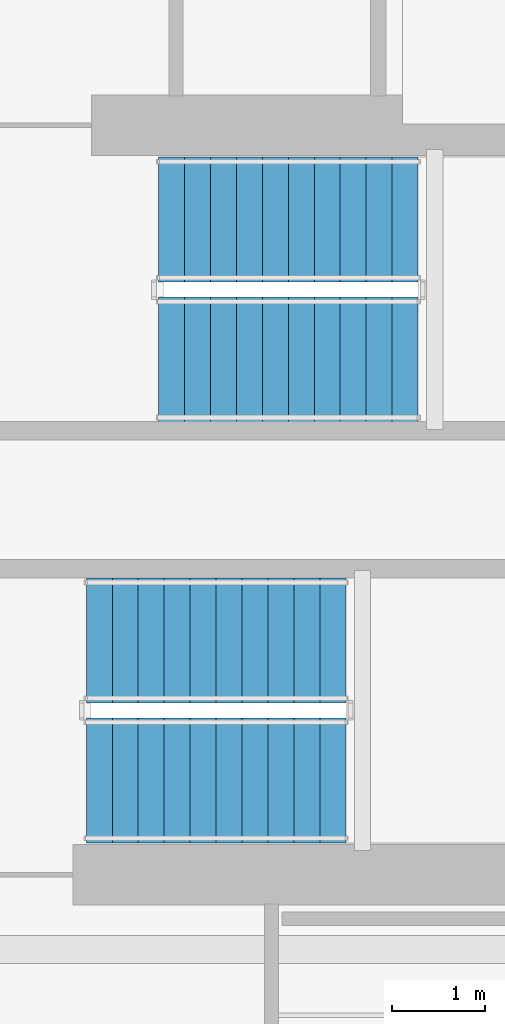
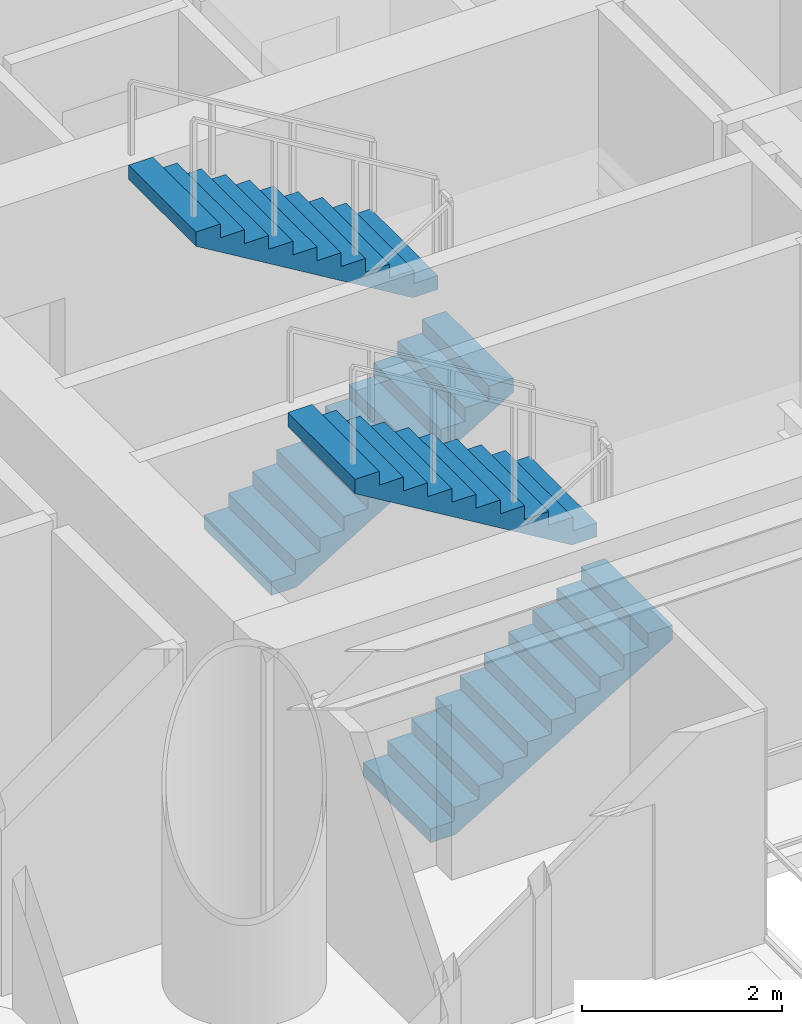
# One storey, part 20 of 24: 4 stair flights, 2 elements without a shape of their own.
"""IFC4 building model written with IfcOpenShell, lengths in metres."""

from ifc_helpers import new_model, si_unit, direction, frame, origin, place, context, subcontext, project, spatial, polyline, outline, extrude, material, type_object, element, aggregate, save


model = new_model("IFC4")

# Units and contexts
model_context = context("Model", 3, precision=1e-05, world=origin(), true_north=direction((0.0, 1.0)))
body_context = subcontext(model_context, "Body", "Model", "MODEL_VIEW")
ifc_project = project(units=[si_unit("LENGTHUNIT", "METRE"), si_unit("AREAUNIT", "SQUARE_METRE"), si_unit("VOLUMEUNIT", "CUBIC_METRE"), si_unit("PLANEANGLEUNIT", "RADIAN"), si_unit("MASSUNIT", "GRAM", prefix="KILO")], contexts=[model_context])

# Site, building, storey
site_placement = place(None, origin())
site = spatial("IfcSite", under=ifc_project, at=site_placement, CompositionType="ELEMENT")
building_placement = place(site_placement, origin())
building = spatial("IfcBuilding", under=site, at=building_placement, Name="Qianvela Tower", CompositionType="ELEMENT")
storey_placement = place(building_placement, frame((0.0, 0.0, 71.0)))
storey = spatial("IfcBuildingStorey", under=building, at=storey_placement, Name="L17", CompositionType="ELEMENT", Elevation=71.0)

# Stair, stair flights
ifc_material_1 = material(Name="Concrete C40", Category="concrete")
stair_type = type_object("IfcStairType", Name="ST-DOGLEG-1350-R168-N22", PredefinedType="HALF_TURN_STAIR", material=ifc_material_1)
stair_1_placement = place(storey_placement, origin())
stair_1 = element("IfcStair", 1, at=stair_1_placement, inside=storey, type_object=stair_type, Name="L17 Smoke-Proof Core Stair ST-1", PredefinedType="HALF_TURN_STAIR")
ifc_material_2 = material(Name="Concrete C40", Category="concrete")
stair_flight_type = type_object("IfcStairFlightType", Name="STF-STRAIGHT-R168-P11", PredefinedType="STRAIGHT", material=ifc_material_2)
stair_flight_1_placement = place(storey_placement, frame((32.199951171875, 30.215087890625, 0.0), z_axis=(0.0, 0.0, 1.0), x_axis=(1.0, 0.0, 0.0)))
stair_flight_1 = element("IfcStairFlight", 2, at=stair_flight_1_placement, type_object=stair_flight_type, Name="ST-1 flight 1", NumberOfRisers=11, NumberOfTreads=10, PredefinedType="STRAIGHT", RiserHeight=0.168181818, TreadLength=0.28, context=body_context, shape_type="SweptSolid", body=[
    extrude(outline(polyline([(0.0, 0.0), (0.0, 0.168212890625), (0.280029296875, 0.168212890625), (0.280029296875, 0.33642578125), (0.56005859375, 0.33642578125), (0.56005859375, 0.504638671875), (0.840087890625, 0.504638671875), (0.840087890625, 0.672607421875), (1.1201171875, 0.672607421875), (1.1201171875, 0.8408203125), (1.39990234375, 0.8408203125), (1.39990234375, 1.009033203125), (1.679931640625, 1.009033203125), (1.679931640625, 1.17724609375), (1.9599609375, 1.17724609375), (1.9599609375, 1.345458984375), (2.239990234375, 1.345458984375), (2.239990234375, 1.513671875), (2.52001953125, 1.513671875), (2.52001953125, 1.681884765625), (2.800048828125, 1.681884765625), (2.800048828125, 1.85009765625), (2.800048828125, 1.5068359375), (0.291015625, 0.0), (0.0, 0.0)])), frame((0.0, 0.675048828125, 0.0), z_axis=(0.0, -1.0, 0.0), x_axis=(1.0, 0.0, 0.0)), (0.0, 0.0, 1.0), 1.35009765625),
])
stair_flight_2_placement = place(storey_placement, frame((35.0, 31.72509765625, 1.85009765625), z_axis=(0.0, 0.0, 1.0), x_axis=(-1.0, 0.0, 0.0)))
stair_flight_2 = element("IfcStairFlight", 3, at=stair_flight_2_placement, type_object=stair_flight_type, Name="ST-1 flight 2", NumberOfRisers=11, NumberOfTreads=10, PredefinedType="STRAIGHT", RiserHeight=0.168181818, TreadLength=0.28, context=body_context, shape_type="SweptSolid", body=[
    extrude(outline(polyline([(0.0, 0.0), (0.0, 0.168212890625), (0.280029296875, 0.168212890625), (0.280029296875, 0.33642578125), (0.56005859375, 0.33642578125), (0.56005859375, 0.504638671875), (0.840087890625, 0.504638671875), (0.840087890625, 0.672607421875), (1.1201171875, 0.672607421875), (1.1201171875, 0.8408203125), (1.39990234375, 0.8408203125), (1.39990234375, 1.009033203125), (1.679931640625, 1.009033203125), (1.679931640625, 1.17724609375), (1.9599609375, 1.17724609375), (1.9599609375, 1.345458984375), (2.239990234375, 1.345458984375), (2.239990234375, 1.513671875), (2.52001953125, 1.513671875), (2.52001953125, 1.681884765625), (2.800048828125, 1.681884765625), (2.800048828125, 1.85009765625), (2.800048828125, 1.5068359375), (0.291015625, 0.0), (0.0, 0.0)])), frame((0.0, 0.675048828125, 0.0), z_axis=(0.0, -1.0, 0.0), x_axis=(1.0, 0.0, 0.0)), (0.0, 0.0, 1.0), 1.35009765625),
])
aggregate(stair_1, [stair_flight_1, stair_flight_2])

stair_2_placement = place(storey_placement, origin())
stair_2 = element("IfcStair", 4, at=stair_2_placement, inside=storey, type_object=stair_type, Name="L17 Smoke-Proof Core Stair ST-2", PredefinedType="HALF_TURN_STAIR")
stair_flight_3_placement = place(storey_placement, frame((31.419921875, 25.675048828125, 0.0), z_axis=(0.0, 0.0, 1.0), x_axis=(1.0, 0.0, 0.0)))
stair_flight_3 = element("IfcStairFlight", 5, at=stair_flight_3_placement, type_object=stair_flight_type, Name="ST-2 flight 1", NumberOfRisers=11, NumberOfTreads=10, PredefinedType="STRAIGHT", RiserHeight=0.168181818, TreadLength=0.28, context=body_context, shape_type="SweptSolid", body=[
    extrude(outline(polyline([(0.0, 0.0), (0.0, 0.168212890625), (0.280029296875, 0.168212890625), (0.280029296875, 0.33642578125), (0.56005859375, 0.33642578125), (0.56005859375, 0.504638671875), (0.840087890625, 0.504638671875), (0.840087890625, 0.672607421875), (1.1201171875, 0.672607421875), (1.1201171875, 0.8408203125), (1.39990234375, 0.8408203125), (1.39990234375, 1.009033203125), (1.679931640625, 1.009033203125), (1.679931640625, 1.17724609375), (1.9599609375, 1.17724609375), (1.9599609375, 1.345458984375), (2.239990234375, 1.345458984375), (2.239990234375, 1.513671875), (2.52001953125, 1.513671875), (2.52001953125, 1.681884765625), (2.800048828125, 1.681884765625), (2.800048828125, 1.85009765625), (2.800048828125, 1.5068359375), (0.291015625, 0.0), (0.0, 0.0)])), frame((0.0, 0.675048828125, 0.0), z_axis=(0.0, -1.0, 0.0), x_axis=(1.0, 0.0, 0.0)), (0.0, 0.0, 1.0), 1.35009765625),
])
stair_flight_4_placement = place(storey_placement, frame((34.219970703125, 27.18505859375, 1.85009765625), z_axis=(0.0, 0.0, 1.0), x_axis=(-1.0, 0.0, 0.0)))
stair_flight_4 = element("IfcStairFlight", 6, at=stair_flight_4_placement, type_object=stair_flight_type, Name="ST-2 flight 2", NumberOfRisers=11, NumberOfTreads=10, PredefinedType="STRAIGHT", RiserHeight=0.168181818, TreadLength=0.28, context=body_context, shape_type="SweptSolid", body=[
    extrude(outline(polyline([(0.0, 0.0), (0.0, 0.168212890625), (0.280029296875, 0.168212890625), (0.280029296875, 0.33642578125), (0.56005859375, 0.33642578125), (0.56005859375, 0.504638671875), (0.840087890625, 0.504638671875), (0.840087890625, 0.672607421875), (1.1201171875, 0.672607421875), (1.1201171875, 0.8408203125), (1.39990234375, 0.8408203125), (1.39990234375, 1.009033203125), (1.679931640625, 1.009033203125), (1.679931640625, 1.17724609375), (1.9599609375, 1.17724609375), (1.9599609375, 1.345458984375), (2.239990234375, 1.345458984375), (2.239990234375, 1.513671875), (2.52001953125, 1.513671875), (2.52001953125, 1.681884765625), (2.800048828125, 1.681884765625), (2.800048828125, 1.85009765625), (2.800048828125, 1.5068359375), (0.291015625, 0.0), (0.0, 0.0)])), frame((0.0, 0.675048828125, 0.0), z_axis=(0.0, -1.0, 0.0), x_axis=(1.0, 0.0, 0.0)), (0.0, 0.0, 1.0), 1.35009765625),
])
aggregate(stair_2, [stair_flight_3, stair_flight_4])

save(model, "model.ifc")
